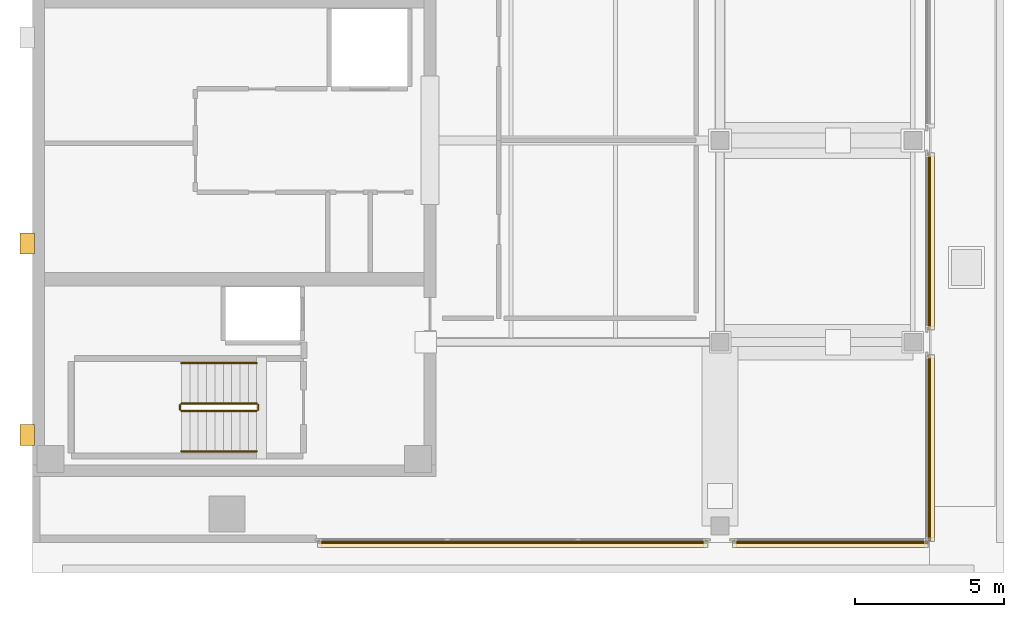
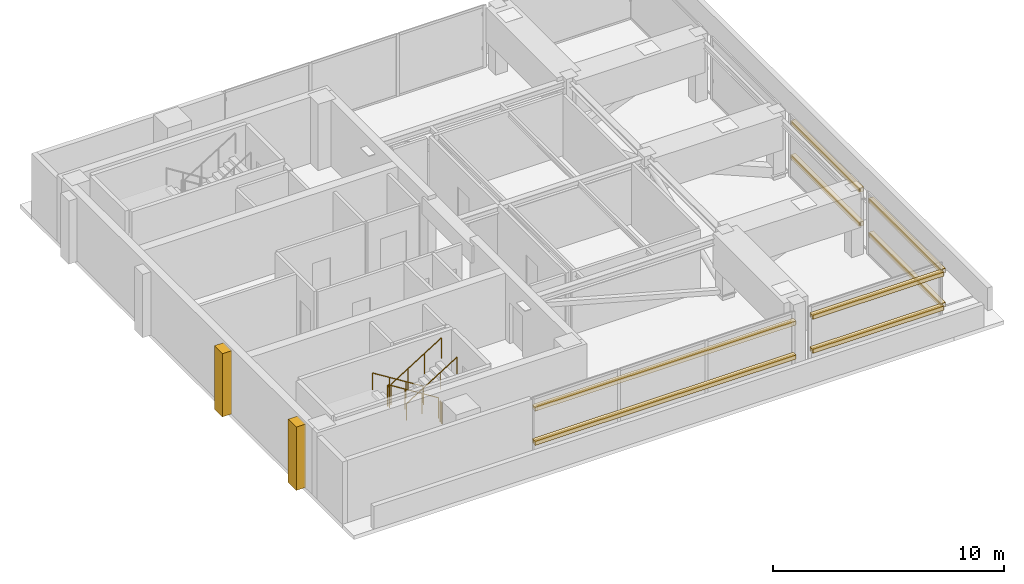
# One storey, part 7 of 9: 10 coverings, 8 shading devices, 6 railings.
"""IFC4 building model written with IfcOpenShell, lengths in metres."""

from ifc_helpers import new_model, si_unit, direction, frame, origin, origin_2d, place, context, subcontext, project, spatial, polyline, rectangle, circle, outline, extrude, material, layer, layer_set, material_profile, profile_set, type_object, element, save


model = new_model("IFC4")

# Units and contexts
model_context = context("Model", 3, precision=1e-05, world=origin(), true_north=direction((0.0, 1.0)))
body_context = subcontext(model_context, "Body", "Model", "MODEL_VIEW")
ifc_project = project(units=[si_unit("LENGTHUNIT", "METRE"), si_unit("AREAUNIT", "SQUARE_METRE"), si_unit("VOLUMEUNIT", "CUBIC_METRE"), si_unit("PLANEANGLEUNIT", "RADIAN"), si_unit("MASSUNIT", "GRAM", prefix="KILO")], contexts=[model_context])

# Site, building, storey
site_placement = place(None, origin())
site = spatial("IfcSite", under=ifc_project, at=site_placement, CompositionType="ELEMENT")
building_placement = place(site_placement, origin())
building = spatial("IfcBuilding", under=site, at=building_placement, Name="Kinhvarn Gate Tower", CompositionType="ELEMENT")
storey_placement = place(building_placement, frame((0.0, 0.0, 314.550048828125)))
storey = spatial("IfcBuildingStorey", under=building, at=storey_placement, Name="L83", CompositionType="ELEMENT", Elevation=314.550048828125)

# Coverings
ifc_material_1 = material(Name="Fired architectural terracotta", Category="masonry")
ifc_layer_1 = layer(ifc_material_1, 0.239990234375)
ifc_layer_set_1 = layer_set([ifc_layer_1], Name="Fired architectural terracotta")
covering_type_1 = type_object("IfcCoveringType", Name="COV-BAG-220", PredefinedType="CLADDING", material=ifc_layer_set_1)
for number, where, name in (
    (1, (0.0, 0.0, 0.93994140625), "Terracotta Horizontal Sunscreen Band TBG-220 (L83)"),
    (2, (0.0, 0.0, 2.739990234375), "Terracotta Horizontal Sunscreen Band TBG-220 (L83)"),
):
    element("IfcCovering", number, at=place(storey_placement, frame(where)), inside=storey, type_object=covering_type_1, Name=name, PredefinedType="CLADDING", context=body_context, shape_type="SweptSolid", body=[
        extrude(outline(polyline([(14.0400390625, 11.8701171875), (27.080078125, 11.8701171875), (27.080078125, 11.6298828125), (14.0400390625, 11.6298828125), (14.0400390625, 11.8701171875)])), origin(), (0.0, 0.0, 1.0), 0.219970703125),
    ])
for number, where, name in (
    (3, (0.0, 0.0, 0.93994140625), "Terracotta Horizontal Sunscreen Band TBG-220 (L83)"),
    (4, (0.0, 0.0, 2.739990234375), "Terracotta Horizontal Sunscreen Band TBG-220 (L83)"),
):
    element("IfcCovering", number, at=place(storey_placement, frame(where)), inside=storey, type_object=covering_type_1, Name=name, PredefinedType="CLADDING", context=body_context, shape_type="SweptSolid", body=[
        extrude(outline(polyline([(27.919921875, 11.8701171875), (34.4599609375, 11.8701171875), (34.4599609375, 11.6298828125), (27.919921875, 11.6298828125), (27.919921875, 11.8701171875)])), origin(), (0.0, 0.0, 1.0), 0.219970703125),
    ])
for number, where, name in (
    (5, (0.0, 0.0, 0.93994140625), "Terracotta Horizontal Sunscreen Band TBG-220 (L83)"),
    (6, (0.0, 0.0, 2.739990234375), "Terracotta Horizontal Sunscreen Band TBG-220 (L83)"),
):
    element("IfcCovering", number, at=place(storey_placement, frame(where)), inside=storey, type_object=covering_type_1, Name=name, PredefinedType="CLADDING", context=body_context, shape_type="SweptSolid", body=[
        extrude(outline(polyline([(34.429931640625, 11.840087890625), (34.429931640625, 18.080078125), (34.669921875, 18.080078125), (34.669921875, 11.840087890625), (34.429931640625, 11.840087890625)])), origin(), (0.0, 0.0, 1.0), 0.219970703125),
    ])
for number, where, name in (
    (7, (0.0, 0.0, 0.93994140625), "Terracotta Horizontal Sunscreen Band TBG-220 (L83)"),
    (8, (0.0, 0.0, 2.739990234375), "Terracotta Horizontal Sunscreen Band TBG-220 (L83)"),
):
    element("IfcCovering", number, at=place(storey_placement, frame(where)), inside=storey, type_object=covering_type_1, Name=name, PredefinedType="CLADDING", context=body_context, shape_type="SweptSolid", body=[
        extrude(outline(polyline([(34.429931640625, 18.919921875), (34.429931640625, 24.830078125), (34.669921875, 24.830078125), (34.669921875, 18.919921875), (34.429931640625, 18.919921875)])), origin(), (0.0, 0.0, 1.0), 0.219970703125),
    ])
ifc_material_2 = material(Name="Precast white architectural concrete C40/50", Category="concrete")
ifc_layer_2 = layer(ifc_material_2, 0.47998046875)
ifc_layer_set_2 = layer_set([ifc_layer_2], Name="Precast white architectural concrete C40/50")
covering_type_2 = type_object("IfcCoveringType", Name="COV-RIB-450", PredefinedType="CLADDING", material=ifc_layer_set_2)
covering_1_placement = place(storey_placement, frame((0.0, 0.0, -0.02001953125)))
element("IfcCovering", 9, at=covering_1_placement, inside=storey, type_object=covering_type_2, Name="West Core Sculptural Concrete Relief Rib CRB-450 (L83)", PredefinedType="CLADDING", context=body_context, shape_type="SweptSolid", body=[
    extrude(outline(polyline([(4.080078125, 15.050048828125), (4.56005859375, 15.050048828125), (4.56005859375, 15.75), (4.080078125, 15.75), (4.080078125, 15.050048828125)])), origin(), (0.0, 0.0, 1.0), 3.340087890625),
])
covering_2_placement = place(storey_placement, frame((0.0, 0.0, -0.02001953125)))
element("IfcCovering", 10, at=covering_2_placement, inside=storey, type_object=covering_type_2, Name="West Core Sculptural Concrete Relief Rib CRB-450 (L83)", PredefinedType="CLADDING", context=body_context, shape_type="SweptSolid", body=[
    extrude(outline(polyline([(4.080078125, 21.449951171875), (4.56005859375, 21.449951171875), (4.56005859375, 22.14990234375), (4.080078125, 22.14990234375), (4.080078125, 21.449951171875)])), origin(), (0.0, 0.0, 1.0), 3.340087890625),
])

# Railings
ifc_material_3 = material(Name="Steel S355", Category="steel")
railing_type_1 = type_object("IfcRailingType", Name="RL-ST-GRD", PredefinedType="BALUSTRADE", material=ifc_material_3)
railing_1_placement = place(storey_placement, frame((12.0, 16.449951171875, 0.175048828125)))
element("IfcRailing", 11, at=railing_1_placement, inside=storey, type_object=railing_type_1, Name="L83 ST1 stair guard 1", PredefinedType="BALUSTRADE", context=body_context, shape_type="SweptSolid", body=[
    extrude(circle(Radius=0.02392578125, at=origin_2d()), frame((0.0, 0.0, 1.076171875), z_axis=(-0.848007534815, 0.0, 0.529984170421), x_axis=(0.0, -1.0, 0.0)), (0.0, 0.0, 1.0), 2.9716796875),
    extrude(circle(Radius=0.02099609375, at=origin_2d()), origin(), (0.0, 0.0, 1.0), 1.052001953125),
    extrude(circle(Radius=0.02099609375, at=origin_2d()), frame((-0.840087890625, 0.0, 0.52490234375)), (0.0, 0.0, 1.0), 1.052001953125),
    extrude(circle(Radius=0.02099609375, at=origin_2d()), frame((-1.679931640625, 0.0, 1.050048828125)), (0.0, 0.0, 1.0), 1.052001953125),
    extrude(circle(Radius=0.02099609375, at=origin_2d()), frame((-2.52001953125, 0.0, 1.574951171875)), (0.0, 0.0, 1.0), 1.052001953125),
])
railing_2_placement = place(storey_placement, frame((9.429931640625, 16.39990234375, 1.75)))
element("IfcRailing", 12, at=railing_2_placement, inside=storey, type_object=railing_type_1, Name="L83 ST1 stair guard 2", PredefinedType="BALUSTRADE", context=body_context, shape_type="SweptSolid", body=[
    extrude(circle(Radius=0.02392578125, at=origin_2d()), frame((0.0, 0.0, 1.076171875), z_axis=(0.0, -1.0, 0.0), x_axis=(1.0, 0.0, 0.0)), (0.0, 0.0, 1.0), 0.14990234375),
    extrude(circle(Radius=0.02099609375, at=origin_2d()), origin(), (0.0, 0.0, 1.0), 1.052001953125),
    extrude(circle(Radius=0.02099609375, at=origin_2d()), frame((0.0, -0.14990234375, 0.0)), (0.0, 0.0, 1.0), 1.052001953125),
])
railing_3_placement = place(storey_placement, frame((9.47998046875, 16.199951171875, 1.925048828125)))
element("IfcRailing", 13, at=railing_3_placement, inside=storey, type_object=railing_type_1, Name="L83 ST1 stair guard 3", PredefinedType="BALUSTRADE", context=body_context, shape_type="SweptSolid", body=[
    extrude(circle(Radius=0.02392578125, at=origin_2d()), frame((0.0, 0.0, 1.076171875), z_axis=(0.848007534815, 0.0, 0.529984170421), x_axis=(0.0, 1.0, 0.0)), (0.0, 0.0, 1.0), 2.9716796875),
    extrude(circle(Radius=0.02099609375, at=origin_2d()), origin(), (0.0, 0.0, 1.0), 1.052001953125),
    extrude(circle(Radius=0.02099609375, at=origin_2d()), frame((0.840087890625, 0.0, 0.52490234375)), (0.0, 0.0, 1.0), 1.052001953125),
    extrude(circle(Radius=0.02099609375, at=origin_2d()), frame((1.679931640625, 0.0, 1.050048828125)), (0.0, 0.0, 1.0), 1.052001953125),
    extrude(circle(Radius=0.02099609375, at=origin_2d()), frame((2.52001953125, 0.0, 1.574951171875)), (0.0, 0.0, 1.0), 1.052001953125),
])
railing_4_placement = place(storey_placement, frame((12.050048828125, 16.39990234375, 0.0)))
element("IfcRailing", 14, at=railing_4_placement, inside=storey, type_object=railing_type_1, Name="L83 ST1 stair guard 4", PredefinedType="BALUSTRADE", context=body_context, shape_type="SweptSolid", body=[
    extrude(circle(Radius=0.02392578125, at=origin_2d()), frame((0.0, 0.0, 1.076171875), z_axis=(0.0, -1.0, 0.0), x_axis=(1.0, 0.0, 0.0)), (0.0, 0.0, 1.0), 0.14990234375),
    extrude(circle(Radius=0.02099609375, at=origin_2d()), origin(), (0.0, 0.0, 1.0), 1.052001953125),
    extrude(circle(Radius=0.02099609375, at=origin_2d()), frame((0.0, -0.14990234375, 0.0)), (0.0, 0.0, 1.0), 1.052001953125),
])
railing_type_2 = type_object("IfcRailingType", Name="RL-ST-HND", PredefinedType="HANDRAIL", material=ifc_material_3)
railing_5_placement = place(storey_placement, frame((12.0, 17.800048828125, 0.175048828125)))
element("IfcRailing", 15, at=railing_5_placement, inside=storey, type_object=railing_type_2, Name="L83 ST1 stair handrail 1", PredefinedType="HANDRAIL", context=body_context, shape_type="SweptSolid", body=[
    extrude(circle(Radius=0.02392578125, at=origin_2d()), frame((0.0, 0.0, 0.8759765625), z_axis=(-0.848007534815, 0.0, 0.529984170421), x_axis=(0.0, -1.0, 0.0)), (0.0, 0.0, 1.0), 2.9716796875),
    extrude(circle(Radius=0.02099609375, at=origin_2d()), origin(), (0.0, 0.0, 1.0), 0.851806640625),
    extrude(circle(Radius=0.02099609375, at=origin_2d()), frame((-0.840087890625, 0.0, 0.52490234375)), (0.0, 0.0, 1.0), 0.851806640625),
    extrude(circle(Radius=0.02099609375, at=origin_2d()), frame((-1.679931640625, 0.0, 1.050048828125)), (0.0, 0.0, 1.0), 0.851806640625),
    extrude(circle(Radius=0.02099609375, at=origin_2d()), frame((-2.52001953125, 0.0, 1.574951171875)), (0.0, 0.0, 1.0), 0.851806640625),
])
railing_6_placement = place(storey_placement, frame((9.47998046875, 14.85009765625, 1.925048828125)))
element("IfcRailing", 16, at=railing_6_placement, inside=storey, type_object=railing_type_2, Name="L83 ST1 stair handrail 2", PredefinedType="HANDRAIL", context=body_context, shape_type="SweptSolid", body=[
    extrude(circle(Radius=0.02392578125, at=origin_2d()), frame((0.0, 0.0, 0.8759765625), z_axis=(0.848007534815, 0.0, 0.529984170421), x_axis=(0.0, 1.0, 0.0)), (0.0, 0.0, 1.0), 2.9716796875),
    extrude(circle(Radius=0.02099609375, at=origin_2d()), origin(), (0.0, 0.0, 1.0), 0.851806640625),
    extrude(circle(Radius=0.02099609375, at=origin_2d()), frame((0.840087890625, 0.0, 0.52490234375)), (0.0, 0.0, 1.0), 0.851806640625),
    extrude(circle(Radius=0.02099609375, at=origin_2d()), frame((1.679931640625, 0.0, 1.050048828125)), (0.0, 0.0, 1.0), 0.851806640625),
    extrude(circle(Radius=0.02099609375, at=origin_2d()), frame((2.52001953125, 0.0, 1.574951171875)), (0.0, 0.0, 1.0), 0.851806640625),
])

# Shading devices
ifc_material_profile = material_profile(ifc_material_1, rectangle(XDim=0.050048828125, YDim=0.1201171875, at=origin_2d()), Name="TC 50x120")
ifc_profile_set = profile_set([ifc_material_profile], Name="Fired architectural terracotta")
shading_device_type = type_object("IfcShadingDeviceType", Name="SHD-BAG-140", PredefinedType="USERDEFINED", material=ifc_profile_set)
for number, where, z_axis, x_axis, name in (
    (17, (14.0400390625, 11.800048828125, 1.050048828125), (1.0, 0.0, 0.0), (0.0, 1.0, 0.0), "Upper Tower Terracotta Baguette Screen Rod 50x120 mm (L83)"),
    (18, (14.0400390625, 11.800048828125, 2.849853515625), (1.0, 0.0, 0.0), (0.0, 1.0, 0.0), "Upper Tower Terracotta Baguette Screen Rod 50x120 mm (L83)"),
):
    element("IfcShadingDevice", number, at=place(storey_placement, frame(where, z_axis=z_axis, x_axis=x_axis)), inside=storey, type_object=shading_device_type, Name=name, ObjectType="BAGUETTE", PredefinedType="USERDEFINED", context=body_context, shape_type="SweptSolid", body=[
        extrude(rectangle(XDim=0.050048828125, YDim=0.1201171875, at=origin_2d()), origin(), (0.0, 0.0, 1.0), 13.0400390625),
    ])
for number, where, z_axis, x_axis, name in (
    (19, (27.919921875, 11.800048828125, 1.050048828125), (1.0, 0.0, 0.0), (0.0, 1.0, 0.0), "Upper Tower Terracotta Baguette Screen Rod 50x120 mm (L83)"),
    (20, (27.919921875, 11.800048828125, 2.849853515625), (1.0, 0.0, 0.0), (0.0, 1.0, 0.0), "Upper Tower Terracotta Baguette Screen Rod 50x120 mm (L83)"),
):
    element("IfcShadingDevice", number, at=place(storey_placement, frame(where, z_axis=z_axis, x_axis=x_axis)), inside=storey, type_object=shading_device_type, Name=name, ObjectType="BAGUETTE", PredefinedType="USERDEFINED", context=body_context, shape_type="SweptSolid", body=[
        extrude(rectangle(XDim=0.050048828125, YDim=0.1201171875, at=origin_2d()), origin(), (0.0, 0.0, 1.0), 6.5400390625),
    ])
for number, where, z_axis, x_axis, name in (
    (21, (34.5, 11.840087890625, 1.050048828125), (0.0, 1.0, 0.0), (-1.0, 0.0, 0.0), "Upper Tower Terracotta Baguette Screen Rod 50x120 mm (L83)"),
    (22, (34.5, 11.840087890625, 2.849853515625), (0.0, 1.0, 0.0), (-1.0, 0.0, 0.0), "Upper Tower Terracotta Baguette Screen Rod 50x120 mm (L83)"),
):
    element("IfcShadingDevice", number, at=place(storey_placement, frame(where, z_axis=z_axis, x_axis=x_axis)), inside=storey, type_object=shading_device_type, Name=name, ObjectType="BAGUETTE", PredefinedType="USERDEFINED", context=body_context, shape_type="SweptSolid", body=[
        extrude(rectangle(XDim=0.050048828125, YDim=0.1201171875, at=origin_2d()), origin(), (0.0, 0.0, 1.0), 6.239990234375),
    ])
for number, where, z_axis, x_axis, name in (
    (23, (34.5, 18.919921875, 1.050048828125), (0.0, 1.0, 0.0), (-1.0, 0.0, 0.0), "Upper Tower Terracotta Baguette Screen Rod 50x120 mm (L83)"),
    (24, (34.5, 18.919921875, 2.849853515625), (0.0, 1.0, 0.0), (-1.0, 0.0, 0.0), "Upper Tower Terracotta Baguette Screen Rod 50x120 mm (L83)"),
):
    element("IfcShadingDevice", number, at=place(storey_placement, frame(where, z_axis=z_axis, x_axis=x_axis)), inside=storey, type_object=shading_device_type, Name=name, ObjectType="BAGUETTE", PredefinedType="USERDEFINED", context=body_context, shape_type="SweptSolid", body=[
        extrude(rectangle(XDim=0.050048828125, YDim=0.1201171875, at=origin_2d()), origin(), (0.0, 0.0, 1.0), 5.91015625),
    ])

save(model, "model.ifc")
